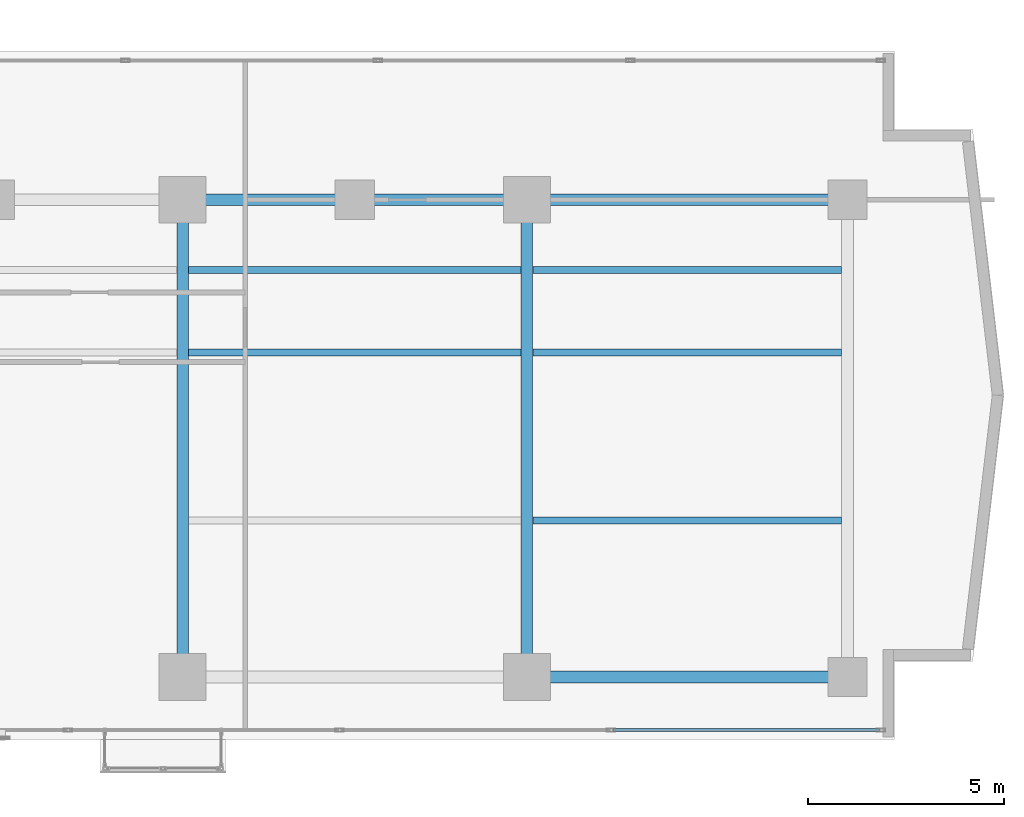
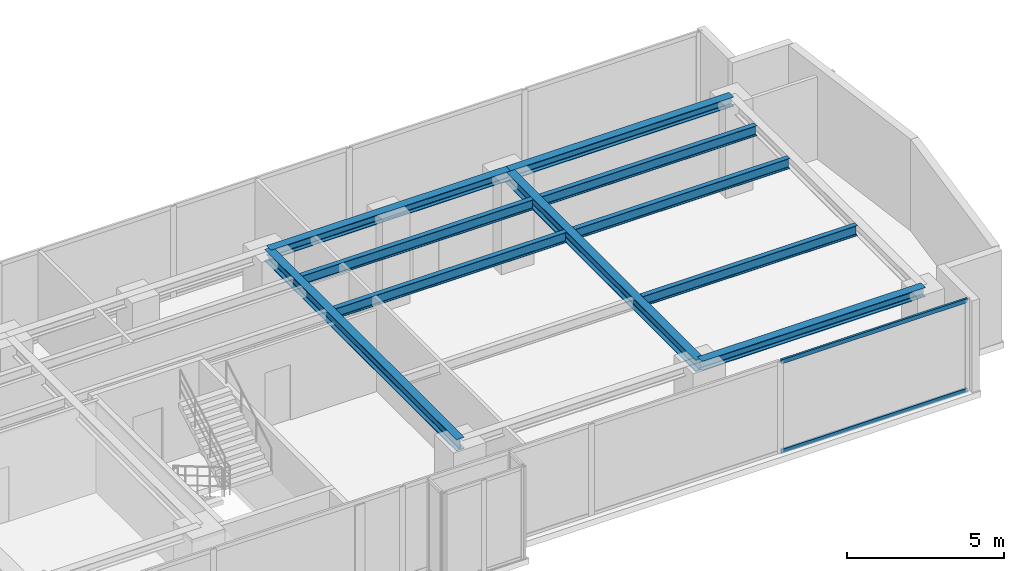
# One storey, part 12 of 27: 10 beams, 2 members, 1 element without a shape of its own.
"""IFC4 building model written with IfcOpenShell, lengths in metres."""

from ifc_helpers import new_model, si_unit, direction, frame, origin, origin_with_axes, origin_2d, place, context, subcontext, project, spatial, hollow_rectangle, i_section, extrude, source, transform, mapped, material, layer, layer_set, material_profile, profile_set, type_object, element, aggregate, save


model = new_model("IFC4")

# Units and contexts
model_context = context("Model", 3, precision=1e-05, world=origin(), true_north=direction((0.0, 1.0)))
body_context = subcontext(model_context, "Body", "Model", "MODEL_VIEW")
ifc_project = project(units=[si_unit("LENGTHUNIT", "METRE"), si_unit("AREAUNIT", "SQUARE_METRE"), si_unit("VOLUMEUNIT", "CUBIC_METRE"), si_unit("PLANEANGLEUNIT", "RADIAN"), si_unit("MASSUNIT", "GRAM", prefix="KILO")], contexts=[model_context])

# Site, building, storey
site_placement = place(None, origin())
site = spatial("IfcSite", under=ifc_project, at=site_placement, CompositionType="ELEMENT")
building_placement = place(site_placement, origin())
building = spatial("IfcBuilding", under=site, at=building_placement, Name="Kolvaren Waterfront Exchange", CompositionType="ELEMENT")
storey_placement = place(building_placement, frame((0.0, 0.0, 176.60009765625)))
storey = spatial("IfcBuildingStorey", under=building, at=storey_placement, Name="L45", CompositionType="ELEMENT", Elevation=176.60009765625)

# Beams
ifc_material_1 = material(Name="Steel S355", Category="steel")
ifc_material_profile_1 = material_profile(ifc_material_1, i_section(OverallWidth=0.300048828125, OverallDepth=0.360107421875, WebThickness=0.012451171875, FlangeThickness=0.0224609375, FilletRadius=0.027099609375, at=origin_2d()), Name="HEB360")
ifc_profile_set_1 = profile_set([ifc_material_profile_1], Name="Steel S355")
beam_type_1 = type_object("IfcBeamType", Name="STR-BM-HEB360", PredefinedType="SPANDREL", material=ifc_profile_set_1)
beam_1_placement = place(storey_placement, frame((45.60009765625, 5.199951171875, 3.3798828125), z_axis=(1.0, 0.0, 0.0), x_axis=(0.0, 1.0, 0.0)))
element("IfcBeam", 1, at=beam_1_placement, inside=storey, type_object=beam_type_1, Name="L45 east-arm spandrel S4", PredefinedType="SPANDREL", context=body_context, shape_type="SweptSolid", body=[
    extrude(i_section(OverallWidth=0.300048828125, OverallDepth=0.360107421875, WebThickness=0.012451171875, FlangeThickness=0.0224609375, FilletRadius=0.027099609375, at=origin_2d()), origin(), (0.0, 0.0, 1.0), 8.199951171875),
])
beam_2_placement = place(storey_placement, frame((36.800048828125, 17.39990234375, 3.3798828125), z_axis=(1.0, 0.0, 0.0), x_axis=(0.0, 1.0, 0.0)))
element("IfcBeam", 2, at=beam_2_placement, inside=storey, type_object=beam_type_1, Name="L45 east-arm spandrel N3", PredefinedType="SPANDREL", context=body_context, shape_type="SweptSolid", body=[
    extrude(i_section(OverallWidth=0.300048828125, OverallDepth=0.360107421875, WebThickness=0.012451171875, FlangeThickness=0.0224609375, FilletRadius=0.027099609375, at=origin_2d()), origin(), (0.0, 0.0, 1.0), 8.800048828125),
])
beam_3_placement = place(storey_placement, frame((45.60009765625, 17.39990234375, 3.3798828125), z_axis=(1.0, 0.0, 0.0), x_axis=(0.0, 1.0, 0.0)))
element("IfcBeam", 3, at=beam_3_placement, inside=storey, type_object=beam_type_1, Name="L45 east-arm spandrel N4", PredefinedType="SPANDREL", context=body_context, shape_type="SweptSolid", body=[
    extrude(i_section(OverallWidth=0.300048828125, OverallDepth=0.360107421875, WebThickness=0.012451171875, FlangeThickness=0.0224609375, FilletRadius=0.027099609375, at=origin_2d()), origin(), (0.0, 0.0, 1.0), 8.199951171875),
])
ifc_material_profile_2 = material_profile(ifc_material_1, i_section(OverallWidth=0.300048828125, OverallDepth=0.449951171875, WebThickness=0.013916015625, FlangeThickness=0.02587890625, FilletRadius=0.027099609375, at=origin_2d()), Name="HEB450")
ifc_profile_set_2 = profile_set([ifc_material_profile_2], Name="Steel S355")
beam_type_2 = type_object("IfcBeamType", Name="STR-BM-HEB450", PredefinedType="BEAM", material=ifc_profile_set_2)
for number, where, z_axis, x_axis, name in (
    (4, (36.800048828125, 5.199951171875, 3.3349609375), (0.0, 1.0, 0.0), (-1.0, 0.0, 0.0), "L45 east-arm transverse girder X36"),
    (5, (45.60009765625, 5.199951171875, 3.3349609375), (0.0, 1.0, 0.0), (-1.0, 0.0, 0.0), "L45 east-arm transverse girder X45"),
):
    element("IfcBeam", number, at=place(storey_placement, frame(where, z_axis=z_axis, x_axis=x_axis)), inside=storey, type_object=beam_type_2, Name=name, PredefinedType="BEAM", context=body_context, shape_type="SweptSolid", body=[
        extrude(i_section(OverallWidth=0.300048828125, OverallDepth=0.449951171875, WebThickness=0.013916015625, FlangeThickness=0.02587890625, FilletRadius=0.027099609375, at=origin_2d()), origin(), (0.0, 0.0, 1.0), 12.199951171875),
    ])
ifc_material_profile_3 = material_profile(ifc_material_1, i_section(OverallWidth=0.179931640625, OverallDepth=0.39990234375, WebThickness=0.008544921875, FlangeThickness=0.013427734375, FilletRadius=0.02099609375, at=origin_2d()), Name="IPE400")
ifc_profile_set_3 = profile_set([ifc_material_profile_3], Name="Steel S355")
beam_type_3 = type_object("IfcBeamType", Name="STR-BM-IPE400", PredefinedType="JOIST", material=ifc_profile_set_3)
for number, where, z_axis, x_axis, name in (
    (6, (36.951904296875, 13.5, 3.35986328125), (1.0, 0.0, 0.0), (0.0, 1.0, 0.0), "L45 east-arm composite joist 3A"),
    (7, (36.951904296875, 15.60009765625, 3.35986328125), (1.0, 0.0, 0.0), (0.0, 1.0, 0.0), "L45 east-arm composite joist 3C"),
):
    element("IfcBeam", number, at=place(storey_placement, frame(where, z_axis=z_axis, x_axis=x_axis)), inside=storey, type_object=beam_type_3, Name=name, PredefinedType="JOIST", context=body_context, shape_type="SweptSolid", body=[
        extrude(i_section(OverallWidth=0.179931640625, OverallDepth=0.39990234375, WebThickness=0.008544921875, FlangeThickness=0.013427734375, FilletRadius=0.02099609375, at=origin_2d()), origin(), (0.0, 0.0, 1.0), 8.49609375),
    ])
for number, where, z_axis, x_axis, name in (
    (8, (45.751953125, 13.5, 3.35986328125), (1.0, 0.0, 0.0), (0.0, 1.0, 0.0), "L45 east-arm composite joist 4A"),
    (9, (45.751953125, 15.60009765625, 3.35986328125), (1.0, 0.0, 0.0), (0.0, 1.0, 0.0), "L45 east-arm composite joist 4C"),
    (10, (45.751953125, 9.199951171875, 3.35986328125), (1.0, 0.0, 0.0), (0.0, 1.0, 0.0), "L45 east-arm composite joist 4B"),
):
    element("IfcBeam", number, at=place(storey_placement, frame(where, z_axis=z_axis, x_axis=x_axis)), inside=storey, type_object=beam_type_3, Name=name, PredefinedType="JOIST", context=body_context, shape_type="SweptSolid", body=[
        extrude(i_section(OverallWidth=0.179931640625, OverallDepth=0.39990234375, WebThickness=0.008544921875, FlangeThickness=0.013427734375, FilletRadius=0.02099609375, at=origin_2d()), origin(), (0.0, 0.0, 1.0), 7.89599609375),
    ])

# Curtain wall, members
ifc_material_2 = material(Name="Anodised bronze aluminium 6063-T6", Category="aluminium")
ifc_layer = layer(ifc_material_2, 0.219970703125, Name="Anodised bronze aluminium 6063-T6")
ifc_layer_set = layer_set([ifc_layer], Name="Anodised bronze aluminium 6063-T6")
curtain_wall_type = type_object("IfcCurtainWallType", Name="ARC-CW-SYS1", PredefinedType="USERDEFINED", material=ifc_layer_set)
curtain_wall_placement = place(storey_placement, origin())
curtain_wall = element("IfcCurtainWall", 11, at=curtain_wall_placement, inside=storey, type_object=curtain_wall_type, Name="L45 stick curtain wall CW1 (CW-L45-S)", ObjectType="STICK CURTAIN WALL", PredefinedType="USERDEFINED")
ifc_material_3 = material(Name="Anodised aluminium 6063-T6", Category="aluminium")
ifc_material_profile_4 = material_profile(ifc_material_3, hollow_rectangle(XDim=0.074951171875, YDim=0.159912109375, WallThickness=0.00439453125, at=origin_2d()), Name="ALU-TRN-160x75x4.5")
ifc_profile_set_4 = profile_set([ifc_material_profile_4], Name="Anodised aluminium 6063-T6")
member_type = type_object("IfcMemberType", Name="ARC-CWT-160", PredefinedType="USERDEFINED", material=ifc_profile_set_4)
shared_shape = source(origin_with_axes(), body_context, "Body", "SweptSolid", [
    extrude(hollow_rectangle(XDim=0.074951171875, YDim=0.159912109375, WallThickness=0.00439453125, at=origin_2d()), origin(), (0.0, 0.0, 1.0), 6.822998046875),
])
member_1_placement = place(storey_placement, frame((47.797119140625, 3.840087890625, 0.037353515625), z_axis=(1.0, 0.0, 0.0), x_axis=(0.0, 1.0, 0.0)))
member_1 = element("IfcMember", 12, at=member_1_placement, type_object=member_type, Name="CW1 transom 7.1", ObjectType="TRANSOM", PredefinedType="USERDEFINED", context=body_context, shape_type="MappedRepresentation", body=[
    mapped(shared_shape, transform((0.0, 0.0, 0.0), x_axis=(1.0, 0.0, 0.0), y_axis=(0.0, 1.0, 0.0), z_axis=(0.0, 0.0, 1.0), scale=1.0)),
])
member_2_placement = place(storey_placement, frame((47.797119140625, 3.840087890625, 3.5224609375), z_axis=(1.0, 0.0, 0.0), x_axis=(0.0, 1.0, 0.0)))
member_2 = element("IfcMember", 13, at=member_2_placement, type_object=member_type, Name="CW1 transom 7.2", ObjectType="TRANSOM", PredefinedType="USERDEFINED", context=body_context, shape_type="MappedRepresentation", body=[
    mapped(shared_shape, transform((0.0, 0.0, 0.0), x_axis=(1.0, 0.0, 0.0), y_axis=(0.0, 1.0, 0.0), z_axis=(0.0, 0.0, 1.0), scale=1.0)),
])
aggregate(curtain_wall, [member_1, member_2])

save(model, "model.ifc")
